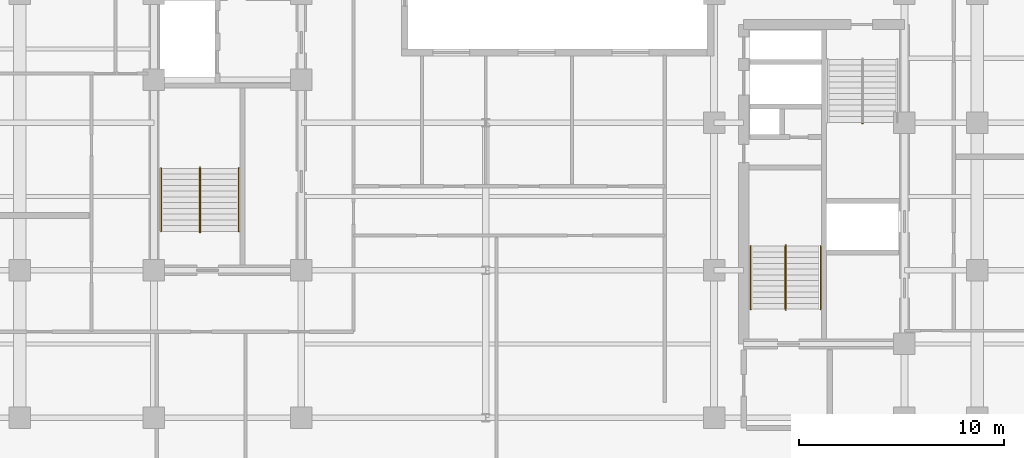
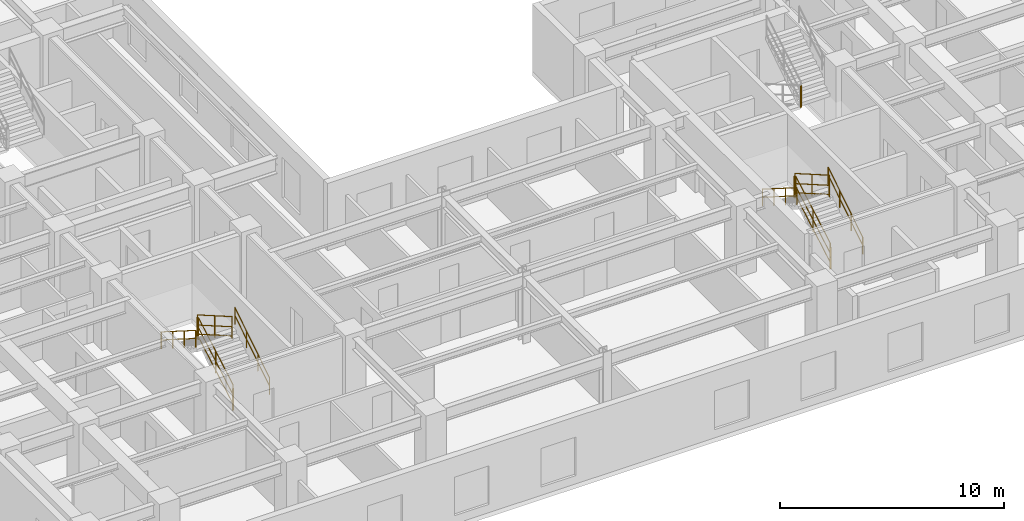
# One storey, part 7 of 9: 13 railings.
"""IFC4 building model written with IfcOpenShell, lengths in metres."""

from ifc_helpers import new_model, entity, si_unit, converted_unit, direction, frame, origin_with_axes, origin_2d_with_axis, place, context, subcontext, project, spatial, rectangle, circle, extrude, material, type_object, element, save


model = new_model("IFC4")

# Units and contexts
model_context = context("Model", 3, precision=1e-05, world=origin_with_axes(), true_north=direction((0.0, 1.0)))
body_context = subcontext(model_context, "Body", "Model", "MODEL_VIEW")
ifc_project = project(units=[si_unit("LENGTHUNIT", "METRE"), si_unit("AREAUNIT", "SQUARE_METRE"), si_unit("VOLUMEUNIT", "CUBIC_METRE"), converted_unit("PLANEANGLEUNIT", "DEGREE", entity("IfcPlaneAngleMeasure", 0.017453292519943295), si_unit("PLANEANGLEUNIT", "RADIAN"), dimensions=[0, 0, 0, 0, 0, 0, 0]), si_unit("MASSUNIT", "GRAM", prefix="KILO"), si_unit("THERMODYNAMICTEMPERATUREUNIT", "KELVIN")], contexts=[model_context])

# Site, building, storey
site_placement = place(None, origin_with_axes())
site = spatial("IfcSite", under=ifc_project, at=site_placement, CompositionType="ELEMENT")
building_placement = place(site_placement, origin_with_axes())
building = spatial("IfcBuilding", under=site, at=building_placement, Name="Varnlund Millrace Tower", CompositionType="ELEMENT")
storey_placement = place(building_placement, frame((0.0, 0.0, 164.1), z_axis=(0.0, 0.0, 1.0), x_axis=(1.0, 0.0, 0.0)))
storey = spatial("IfcBuildingStorey", under=building, at=storey_placement, Name="L40", CompositionType="ELEMENT", Elevation=164.1)

# Railings
ifc_material_1 = material(Name="Painted steel stair well balustrade guard", Category="steel")
railing_type_1 = type_object("IfcRailingType", Name="Type-StairGuard-1150", PredefinedType="GUARDRAIL", material=ifc_material_1)
railing_1_placement = place(storey_placement, frame((0.0, 0.0, -164.1), z_axis=(0.0, 0.0, 1.0), x_axis=(1.0, 0.0, 0.0)))
element("IfcRailing", 1, at=railing_1_placement, inside=storey, type_object=railing_type_1, Name="Type-StairGuard-1150", PredefinedType="GUARDRAIL", context=body_context, shape_type="SweptSolid", body=[
    extrude(circle(Radius=0.024, at=origin_2d_with_axis()), frame((13.675, 12.7, 165.427273), z_axis=(0.0, 0.866696, 0.498836), x_axis=(-1.0, 0.0, 0.0)), (0.0, 0.0, 1.0), 3.553725),
    extrude(circle(Radius=0.024, at=origin_2d_with_axis()), frame((13.675, 12.7, 164.377273), z_axis=(0.0, 0.866696, 0.498836), x_axis=(-1.0, 0.0, 0.0)), (0.0, 0.0, 1.0), 3.553725),
    extrude(circle(Radius=0.024, at=origin_2d_with_axis()), frame((13.675, 12.7, 164.875273), z_axis=(0.0, 0.866696, 0.498836), x_axis=(-1.0, 0.0, 0.0)), (0.0, 0.0, 1.0), 3.553725),
    extrude(rectangle(XDim=0.04, YDim=0.04, at=origin_2d_with_axis()), frame((13.675, 12.7, 164.237273), z_axis=(0.0, 0.0, 1.0), x_axis=(1.0, 0.0, 0.0)), (0.0, 0.0, 1.0), 1.19),
    extrude(rectangle(XDim=0.04, YDim=0.04, at=origin_2d_with_axis()), frame((13.675, 14.24, 165.123636), z_axis=(0.0, 0.0, 1.0), x_axis=(1.0, 0.0, 0.0)), (0.0, 0.0, 1.0), 1.19),
    extrude(rectangle(XDim=0.04, YDim=0.04, at=origin_2d_with_axis()), frame((13.675, 15.78, 166.01), z_axis=(0.0, 0.0, 1.0), x_axis=(1.0, 0.0, 0.0)), (0.0, 0.0, 1.0), 1.19),
])
railing_2_placement = place(storey_placement, frame((0.0, 0.0, -164.1), z_axis=(0.0, 0.0, 1.0), x_axis=(1.0, 0.0, 0.0)))
element("IfcRailing", 2, at=railing_2_placement, inside=storey, type_object=railing_type_1, Name="Type-StairGuard-1150", PredefinedType="GUARDRAIL", context=body_context, shape_type="SweptSolid", body=[
    extrude(circle(Radius=0.024, at=origin_2d_with_axis()), frame((13.625, 15.83, 167.2), z_axis=(1.0, 0.0, 0.0), x_axis=(0.0, 1.0, 0.0)), (0.0, 0.0, 1.0), 0.05),
    extrude(circle(Radius=0.024, at=origin_2d_with_axis()), frame((13.625, 15.83, 166.15), z_axis=(1.0, 0.0, 0.0), x_axis=(0.0, 1.0, 0.0)), (0.0, 0.0, 1.0), 0.05),
    extrude(circle(Radius=0.024, at=origin_2d_with_axis()), frame((13.625, 15.83, 166.648), z_axis=(1.0, 0.0, 0.0), x_axis=(0.0, 1.0, 0.0)), (0.0, 0.0, 1.0), 0.05),
    extrude(rectangle(XDim=0.04, YDim=0.04, at=origin_2d_with_axis()), frame((13.625, 15.83, 166.01), z_axis=(0.0, 0.0, 1.0), x_axis=(1.0, 0.0, 0.0)), (0.0, 0.0, 1.0), 1.19),
    extrude(rectangle(XDim=0.04, YDim=0.04, at=origin_2d_with_axis()), frame((13.675, 15.83, 166.01), z_axis=(0.0, 0.0, 1.0), x_axis=(1.0, 0.0, 0.0)), (0.0, 0.0, 1.0), 1.19),
])
railing_3_placement = place(storey_placement, frame((0.0, 0.0, -164.1), z_axis=(0.0, 0.0, 1.0), x_axis=(1.0, 0.0, 0.0)))
element("IfcRailing", 3, at=railing_3_placement, inside=storey, type_object=railing_type_1, Name="Type-StairGuard-1150", PredefinedType="GUARDRAIL", context=body_context, shape_type="SweptSolid", body=[
    extrude(circle(Radius=0.024, at=origin_2d_with_axis()), frame((13.625, 15.78, 167.377273), z_axis=(0.0, -0.866696, 0.498836), x_axis=(1.0, 0.0, 0.0)), (0.0, 0.0, 1.0), 3.553725),
    extrude(circle(Radius=0.024, at=origin_2d_with_axis()), frame((13.625, 15.78, 166.327273), z_axis=(0.0, -0.866696, 0.498836), x_axis=(1.0, 0.0, 0.0)), (0.0, 0.0, 1.0), 3.553725),
    extrude(circle(Radius=0.024, at=origin_2d_with_axis()), frame((13.625, 15.78, 166.825273), z_axis=(0.0, -0.866696, 0.498836), x_axis=(1.0, 0.0, 0.0)), (0.0, 0.0, 1.0), 3.553725),
    extrude(rectangle(XDim=0.04, YDim=0.04, at=origin_2d_with_axis()), frame((13.625, 15.78, 166.187273), z_axis=(0.0, 0.0, 1.0), x_axis=(1.0, 0.0, 0.0)), (0.0, 0.0, 1.0), 1.19),
    extrude(rectangle(XDim=0.04, YDim=0.04, at=origin_2d_with_axis()), frame((13.625, 14.24, 167.073636), z_axis=(0.0, 0.0, 1.0), x_axis=(1.0, 0.0, 0.0)), (0.0, 0.0, 1.0), 1.19),
    extrude(rectangle(XDim=0.04, YDim=0.04, at=origin_2d_with_axis()), frame((13.625, 12.7, 167.96), z_axis=(0.0, 0.0, 1.0), x_axis=(1.0, 0.0, 0.0)), (0.0, 0.0, 1.0), 1.19),
])
railing_4_placement = place(storey_placement, frame((0.0, 0.0, -164.1), z_axis=(0.0, 0.0, 1.0), x_axis=(1.0, 0.0, 0.0)))
element("IfcRailing", 4, at=railing_4_placement, inside=storey, type_object=railing_type_1, Name="Type-StairGuard-1150", PredefinedType="GUARDRAIL", context=body_context, shape_type="SweptSolid", body=[
    extrude(circle(Radius=0.024, at=origin_2d_with_axis()), frame((13.625, 12.65, 165.25), z_axis=(1.0, 0.0, 0.0), x_axis=(0.0, 1.0, 0.0)), (0.0, 0.0, 1.0), 0.05),
    extrude(circle(Radius=0.024, at=origin_2d_with_axis()), frame((13.625, 12.65, 164.2), z_axis=(1.0, 0.0, 0.0), x_axis=(0.0, 1.0, 0.0)), (0.0, 0.0, 1.0), 0.05),
    extrude(circle(Radius=0.024, at=origin_2d_with_axis()), frame((13.625, 12.65, 164.698), z_axis=(1.0, 0.0, 0.0), x_axis=(0.0, 1.0, 0.0)), (0.0, 0.0, 1.0), 0.05),
    extrude(rectangle(XDim=0.04, YDim=0.04, at=origin_2d_with_axis()), frame((13.625, 12.65, 164.06), z_axis=(0.0, 0.0, 1.0), x_axis=(1.0, 0.0, 0.0)), (0.0, 0.0, 1.0), 1.19),
    extrude(rectangle(XDim=0.04, YDim=0.04, at=origin_2d_with_axis()), frame((13.675, 12.65, 164.06), z_axis=(0.0, 0.0, 1.0), x_axis=(1.0, 0.0, 0.0)), (0.0, 0.0, 1.0), 1.19),
])
railing_5_placement = place(storey_placement, frame((0.0, 0.0, -164.1), z_axis=(0.0, 0.0, 1.0), x_axis=(1.0, 0.0, 0.0)))
element("IfcRailing", 5, at=railing_5_placement, inside=storey, type_object=railing_type_1, Name="Type-StairGuard-1150", PredefinedType="GUARDRAIL", context=body_context, shape_type="SweptSolid", body=[
    extrude(circle(Radius=0.024, at=origin_2d_with_axis()), frame((42.275, 8.9, 165.427273), z_axis=(0.0, 0.866696, 0.498836), x_axis=(-1.0, 0.0, 0.0)), (0.0, 0.0, 1.0), 3.553725),
    extrude(circle(Radius=0.024, at=origin_2d_with_axis()), frame((42.275, 8.9, 164.377273), z_axis=(0.0, 0.866696, 0.498836), x_axis=(-1.0, 0.0, 0.0)), (0.0, 0.0, 1.0), 3.553725),
    extrude(circle(Radius=0.024, at=origin_2d_with_axis()), frame((42.275, 8.9, 164.875273), z_axis=(0.0, 0.866696, 0.498836), x_axis=(-1.0, 0.0, 0.0)), (0.0, 0.0, 1.0), 3.553725),
    extrude(rectangle(XDim=0.04, YDim=0.04, at=origin_2d_with_axis()), frame((42.275, 8.9, 164.237273), z_axis=(0.0, 0.0, 1.0), x_axis=(1.0, 0.0, 0.0)), (0.0, 0.0, 1.0), 1.19),
    extrude(rectangle(XDim=0.04, YDim=0.04, at=origin_2d_with_axis()), frame((42.275, 10.44, 165.123636), z_axis=(0.0, 0.0, 1.0), x_axis=(1.0, 0.0, 0.0)), (0.0, 0.0, 1.0), 1.19),
    extrude(rectangle(XDim=0.04, YDim=0.04, at=origin_2d_with_axis()), frame((42.275, 11.98, 166.01), z_axis=(0.0, 0.0, 1.0), x_axis=(1.0, 0.0, 0.0)), (0.0, 0.0, 1.0), 1.19),
])
railing_6_placement = place(storey_placement, frame((0.0, 0.0, -164.1), z_axis=(0.0, 0.0, 1.0), x_axis=(1.0, 0.0, 0.0)))
element("IfcRailing", 6, at=railing_6_placement, inside=storey, type_object=railing_type_1, Name="Type-StairGuard-1150", PredefinedType="GUARDRAIL", context=body_context, shape_type="SweptSolid", body=[
    extrude(circle(Radius=0.024, at=origin_2d_with_axis()), frame((42.225, 12.03, 167.2), z_axis=(1.0, 0.0, 0.0), x_axis=(0.0, 1.0, 0.0)), (0.0, 0.0, 1.0), 0.05),
    extrude(circle(Radius=0.024, at=origin_2d_with_axis()), frame((42.225, 12.03, 166.15), z_axis=(1.0, 0.0, 0.0), x_axis=(0.0, 1.0, 0.0)), (0.0, 0.0, 1.0), 0.05),
    extrude(circle(Radius=0.024, at=origin_2d_with_axis()), frame((42.225, 12.03, 166.648), z_axis=(1.0, 0.0, 0.0), x_axis=(0.0, 1.0, 0.0)), (0.0, 0.0, 1.0), 0.05),
    extrude(rectangle(XDim=0.04, YDim=0.04, at=origin_2d_with_axis()), frame((42.225, 12.03, 166.01), z_axis=(0.0, 0.0, 1.0), x_axis=(1.0, 0.0, 0.0)), (0.0, 0.0, 1.0), 1.19),
    extrude(rectangle(XDim=0.04, YDim=0.04, at=origin_2d_with_axis()), frame((42.275, 12.03, 166.01), z_axis=(0.0, 0.0, 1.0), x_axis=(1.0, 0.0, 0.0)), (0.0, 0.0, 1.0), 1.19),
])
railing_7_placement = place(storey_placement, frame((0.0, 0.0, -164.1), z_axis=(0.0, 0.0, 1.0), x_axis=(1.0, 0.0, 0.0)))
element("IfcRailing", 7, at=railing_7_placement, inside=storey, type_object=railing_type_1, Name="Type-StairGuard-1150", PredefinedType="GUARDRAIL", context=body_context, shape_type="SweptSolid", body=[
    extrude(circle(Radius=0.024, at=origin_2d_with_axis()), frame((42.225, 11.98, 167.377273), z_axis=(0.0, -0.866696, 0.498836), x_axis=(1.0, 0.0, 0.0)), (0.0, 0.0, 1.0), 3.553725),
    extrude(circle(Radius=0.024, at=origin_2d_with_axis()), frame((42.225, 11.98, 166.327273), z_axis=(0.0, -0.866696, 0.498836), x_axis=(1.0, 0.0, 0.0)), (0.0, 0.0, 1.0), 3.553725),
    extrude(circle(Radius=0.024, at=origin_2d_with_axis()), frame((42.225, 11.98, 166.825273), z_axis=(0.0, -0.866696, 0.498836), x_axis=(1.0, 0.0, 0.0)), (0.0, 0.0, 1.0), 3.553725),
    extrude(rectangle(XDim=0.04, YDim=0.04, at=origin_2d_with_axis()), frame((42.225, 11.98, 166.187273), z_axis=(0.0, 0.0, 1.0), x_axis=(1.0, 0.0, 0.0)), (0.0, 0.0, 1.0), 1.19),
    extrude(rectangle(XDim=0.04, YDim=0.04, at=origin_2d_with_axis()), frame((42.225, 10.44, 167.073636), z_axis=(0.0, 0.0, 1.0), x_axis=(1.0, 0.0, 0.0)), (0.0, 0.0, 1.0), 1.19),
    extrude(rectangle(XDim=0.04, YDim=0.04, at=origin_2d_with_axis()), frame((42.225, 8.9, 167.96), z_axis=(0.0, 0.0, 1.0), x_axis=(1.0, 0.0, 0.0)), (0.0, 0.0, 1.0), 1.19),
])
railing_8_placement = place(storey_placement, frame((0.0, 0.0, -164.1), z_axis=(0.0, 0.0, 1.0), x_axis=(1.0, 0.0, 0.0)))
element("IfcRailing", 8, at=railing_8_placement, inside=storey, type_object=railing_type_1, Name="Type-StairGuard-1150", PredefinedType="GUARDRAIL", context=body_context, shape_type="SweptSolid", body=[
    extrude(circle(Radius=0.024, at=origin_2d_with_axis()), frame((42.225, 8.85, 165.25), z_axis=(1.0, 0.0, 0.0), x_axis=(0.0, 1.0, 0.0)), (0.0, 0.0, 1.0), 0.05),
    extrude(circle(Radius=0.024, at=origin_2d_with_axis()), frame((42.225, 8.85, 164.2), z_axis=(1.0, 0.0, 0.0), x_axis=(0.0, 1.0, 0.0)), (0.0, 0.0, 1.0), 0.05),
    extrude(circle(Radius=0.024, at=origin_2d_with_axis()), frame((42.225, 8.85, 164.698), z_axis=(1.0, 0.0, 0.0), x_axis=(0.0, 1.0, 0.0)), (0.0, 0.0, 1.0), 0.05),
    extrude(rectangle(XDim=0.04, YDim=0.04, at=origin_2d_with_axis()), frame((42.225, 8.85, 164.06), z_axis=(0.0, 0.0, 1.0), x_axis=(1.0, 0.0, 0.0)), (0.0, 0.0, 1.0), 1.19),
    extrude(rectangle(XDim=0.04, YDim=0.04, at=origin_2d_with_axis()), frame((42.275, 8.85, 164.06), z_axis=(0.0, 0.0, 1.0), x_axis=(1.0, 0.0, 0.0)), (0.0, 0.0, 1.0), 1.19),
])
railing_9_placement = place(storey_placement, frame((0.0, 0.0, -164.1), z_axis=(0.0, 0.0, 1.0), x_axis=(1.0, 0.0, 0.0)))
element("IfcRailing", 9, at=railing_9_placement, inside=storey, type_object=railing_type_1, Name="Type-StairGuard-1150", PredefinedType="GUARDRAIL", context=body_context, shape_type="SweptSolid", body=[
    extrude(circle(Radius=0.024, at=origin_2d_with_axis()), frame((46.025, 17.97, 167.2), z_axis=(-1.0, 0.0, 0.0), x_axis=(0.0, -1.0, 0.0)), (0.0, 0.0, 1.0), 0.05),
    extrude(circle(Radius=0.024, at=origin_2d_with_axis()), frame((46.025, 17.97, 166.15), z_axis=(-1.0, 0.0, 0.0), x_axis=(0.0, -1.0, 0.0)), (0.0, 0.0, 1.0), 0.05),
    extrude(circle(Radius=0.024, at=origin_2d_with_axis()), frame((46.025, 17.97, 166.648), z_axis=(-1.0, 0.0, 0.0), x_axis=(0.0, -1.0, 0.0)), (0.0, 0.0, 1.0), 0.05),
    extrude(rectangle(XDim=0.04, YDim=0.04, at=origin_2d_with_axis()), frame((46.025, 17.97, 166.01), z_axis=(0.0, 0.0, 1.0), x_axis=(1.0, 0.0, 0.0)), (0.0, 0.0, 1.0), 1.19),
    extrude(rectangle(XDim=0.04, YDim=0.04, at=origin_2d_with_axis()), frame((45.975, 17.97, 166.01), z_axis=(0.0, 0.0, 1.0), x_axis=(1.0, 0.0, 0.0)), (0.0, 0.0, 1.0), 1.19),
])
ifc_material_2 = material(Name="Brushed architectural bronze stair handrail", Category="aluminium")
railing_type_2 = type_object("IfcRailingType", Name="Type-StairHandrail-900", PredefinedType="HANDRAIL", material=ifc_material_2)
railing_10_placement = place(storey_placement, frame((0.0, 0.0, -164.1), z_axis=(0.0, 0.0, 1.0), x_axis=(1.0, 0.0, 0.0)))
element("IfcRailing", 10, at=railing_10_placement, inside=storey, type_object=railing_type_2, Name="Type-StairHandrail-900", PredefinedType="HANDRAIL", context=body_context, shape_type="SweptSolid", body=[
    extrude(circle(Radius=0.024, at=origin_2d_with_axis()), frame((15.55, 12.7, 165.156995), z_axis=(0.0, 0.844902, 0.534922), x_axis=(-1.0, 0.0, 0.0)), (0.0, 0.0, 1.0), 3.645394),
    extrude(circle(Radius=0.024, at=origin_2d_with_axis()), frame((15.55, 12.7, 164.717134), z_axis=(0.0, 0.844902, 0.534922), x_axis=(-1.0, 0.0, 0.0)), (0.0, 0.0, 1.0), 3.645394),
    extrude(rectangle(XDim=0.04, YDim=0.04, at=origin_2d_with_axis()), frame((15.55, 12.7, 164.237273), z_axis=(0.0, 0.0, 1.0), x_axis=(1.0, 0.0, 0.0)), (0.0, 0.0, 1.0), 0.919722),
    extrude(rectangle(XDim=0.04, YDim=0.04, at=origin_2d_with_axis()), frame((15.55, 13.726667, 164.887273), z_axis=(0.0, 0.0, 1.0), x_axis=(1.0, 0.0, 0.0)), (0.0, 0.0, 1.0), 0.919722),
    extrude(rectangle(XDim=0.04, YDim=0.04, at=origin_2d_with_axis()), frame((15.55, 14.753333, 165.537273), z_axis=(0.0, 0.0, 1.0), x_axis=(1.0, 0.0, 0.0)), (0.0, 0.0, 1.0), 0.919722),
    extrude(rectangle(XDim=0.04, YDim=0.04, at=origin_2d_with_axis()), frame((15.55, 15.78, 166.187273), z_axis=(0.0, 0.0, 1.0), x_axis=(1.0, 0.0, 0.0)), (0.0, 0.0, 1.0), 0.919722),
])
railing_11_placement = place(storey_placement, frame((0.0, 0.0, -164.1), z_axis=(0.0, 0.0, 1.0), x_axis=(1.0, 0.0, 0.0)))
element("IfcRailing", 11, at=railing_11_placement, inside=storey, type_object=railing_type_2, Name="Type-StairHandrail-900", PredefinedType="HANDRAIL", context=body_context, shape_type="SweptSolid", body=[
    extrude(circle(Radius=0.024, at=origin_2d_with_axis()), frame((11.75, 15.78, 167.106995), z_axis=(0.0, -0.844902, 0.534922), x_axis=(1.0, 0.0, 0.0)), (0.0, 0.0, 1.0), 3.645394),
    extrude(circle(Radius=0.024, at=origin_2d_with_axis()), frame((11.75, 15.78, 166.667134), z_axis=(0.0, -0.844902, 0.534922), x_axis=(1.0, 0.0, 0.0)), (0.0, 0.0, 1.0), 3.645394),
    extrude(rectangle(XDim=0.04, YDim=0.04, at=origin_2d_with_axis()), frame((11.75, 15.78, 166.187273), z_axis=(0.0, 0.0, 1.0), x_axis=(1.0, 0.0, 0.0)), (0.0, 0.0, 1.0), 0.919722),
    extrude(rectangle(XDim=0.04, YDim=0.04, at=origin_2d_with_axis()), frame((11.75, 14.753333, 166.837273), z_axis=(0.0, 0.0, 1.0), x_axis=(1.0, 0.0, 0.0)), (0.0, 0.0, 1.0), 0.919722),
    extrude(rectangle(XDim=0.04, YDim=0.04, at=origin_2d_with_axis()), frame((11.75, 13.726667, 167.487273), z_axis=(0.0, 0.0, 1.0), x_axis=(1.0, 0.0, 0.0)), (0.0, 0.0, 1.0), 0.919722),
    extrude(rectangle(XDim=0.04, YDim=0.04, at=origin_2d_with_axis()), frame((11.75, 12.7, 168.137273), z_axis=(0.0, 0.0, 1.0), x_axis=(1.0, 0.0, 0.0)), (0.0, 0.0, 1.0), 0.919722),
])
railing_12_placement = place(storey_placement, frame((0.0, 0.0, -164.1), z_axis=(0.0, 0.0, 1.0), x_axis=(1.0, 0.0, 0.0)))
element("IfcRailing", 12, at=railing_12_placement, inside=storey, type_object=railing_type_2, Name="Type-StairHandrail-900", PredefinedType="HANDRAIL", context=body_context, shape_type="SweptSolid", body=[
    extrude(circle(Radius=0.024, at=origin_2d_with_axis()), frame((43.95, 8.9, 165.156995), z_axis=(0.0, 0.844902, 0.534922), x_axis=(-1.0, 0.0, 0.0)), (0.0, 0.0, 1.0), 3.645394),
    extrude(circle(Radius=0.024, at=origin_2d_with_axis()), frame((43.95, 8.9, 164.717134), z_axis=(0.0, 0.844902, 0.534922), x_axis=(-1.0, 0.0, 0.0)), (0.0, 0.0, 1.0), 3.645394),
    extrude(rectangle(XDim=0.04, YDim=0.04, at=origin_2d_with_axis()), frame((43.95, 8.9, 164.237273), z_axis=(0.0, 0.0, 1.0), x_axis=(1.0, 0.0, 0.0)), (0.0, 0.0, 1.0), 0.919722),
    extrude(rectangle(XDim=0.04, YDim=0.04, at=origin_2d_with_axis()), frame((43.95, 9.926667, 164.887273), z_axis=(0.0, 0.0, 1.0), x_axis=(1.0, 0.0, 0.0)), (0.0, 0.0, 1.0), 0.919722),
    extrude(rectangle(XDim=0.04, YDim=0.04, at=origin_2d_with_axis()), frame((43.95, 10.953333, 165.537273), z_axis=(0.0, 0.0, 1.0), x_axis=(1.0, 0.0, 0.0)), (0.0, 0.0, 1.0), 0.919722),
    extrude(rectangle(XDim=0.04, YDim=0.04, at=origin_2d_with_axis()), frame((43.95, 11.98, 166.187273), z_axis=(0.0, 0.0, 1.0), x_axis=(1.0, 0.0, 0.0)), (0.0, 0.0, 1.0), 0.919722),
])
railing_13_placement = place(storey_placement, frame((0.0, 0.0, -164.1), z_axis=(0.0, 0.0, 1.0), x_axis=(1.0, 0.0, 0.0)))
element("IfcRailing", 13, at=railing_13_placement, inside=storey, type_object=railing_type_2, Name="Type-StairHandrail-900", PredefinedType="HANDRAIL", context=body_context, shape_type="SweptSolid", body=[
    extrude(circle(Radius=0.024, at=origin_2d_with_axis()), frame((40.55, 11.98, 167.106995), z_axis=(0.0, -0.844902, 0.534922), x_axis=(1.0, 0.0, 0.0)), (0.0, 0.0, 1.0), 3.645394),
    extrude(circle(Radius=0.024, at=origin_2d_with_axis()), frame((40.55, 11.98, 166.667134), z_axis=(0.0, -0.844902, 0.534922), x_axis=(1.0, 0.0, 0.0)), (0.0, 0.0, 1.0), 3.645394),
    extrude(rectangle(XDim=0.04, YDim=0.04, at=origin_2d_with_axis()), frame((40.55, 11.98, 166.187273), z_axis=(0.0, 0.0, 1.0), x_axis=(1.0, 0.0, 0.0)), (0.0, 0.0, 1.0), 0.919722),
    extrude(rectangle(XDim=0.04, YDim=0.04, at=origin_2d_with_axis()), frame((40.55, 10.953333, 166.837273), z_axis=(0.0, 0.0, 1.0), x_axis=(1.0, 0.0, 0.0)), (0.0, 0.0, 1.0), 0.919722),
    extrude(rectangle(XDim=0.04, YDim=0.04, at=origin_2d_with_axis()), frame((40.55, 9.926667, 167.487273), z_axis=(0.0, 0.0, 1.0), x_axis=(1.0, 0.0, 0.0)), (0.0, 0.0, 1.0), 0.919722),
    extrude(rectangle(XDim=0.04, YDim=0.04, at=origin_2d_with_axis()), frame((40.55, 8.9, 168.137273), z_axis=(0.0, 0.0, 1.0), x_axis=(1.0, 0.0, 0.0)), (0.0, 0.0, 1.0), 0.919722),
])

save(model, "model.ifc")
